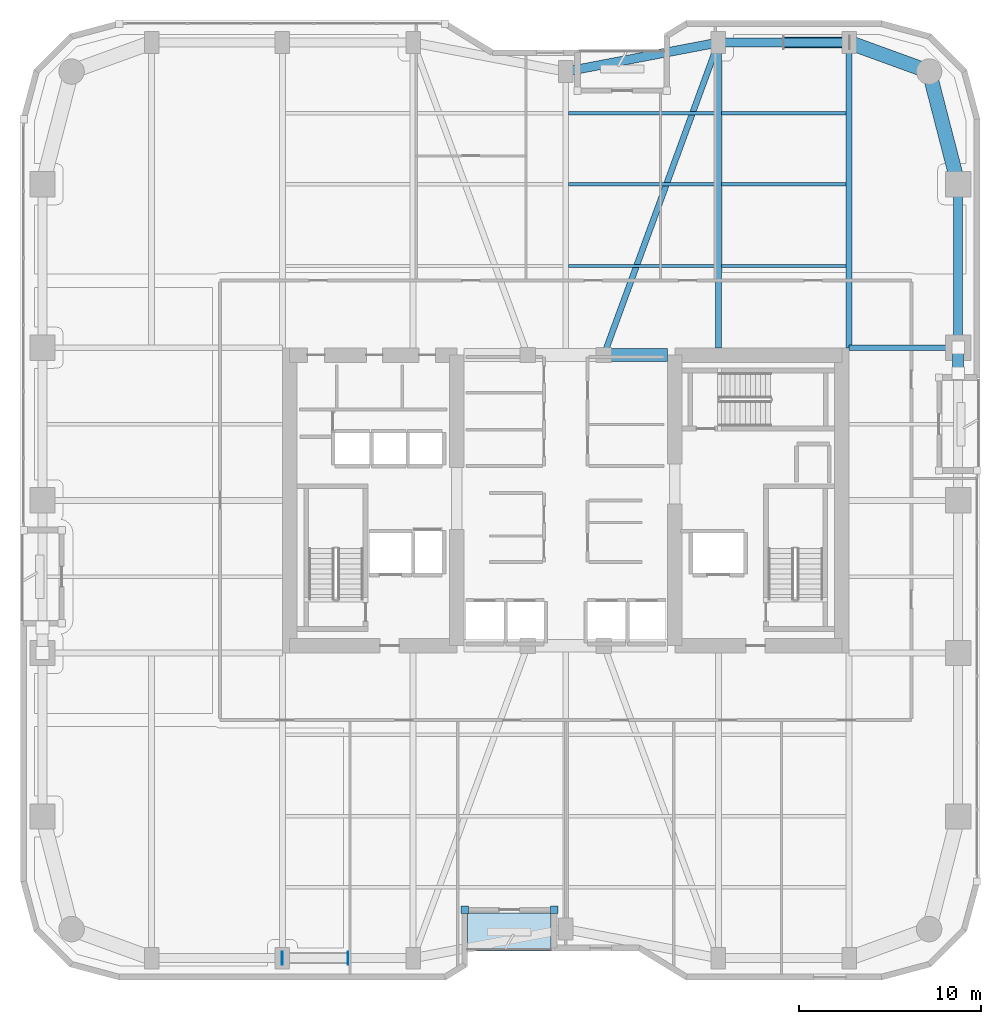
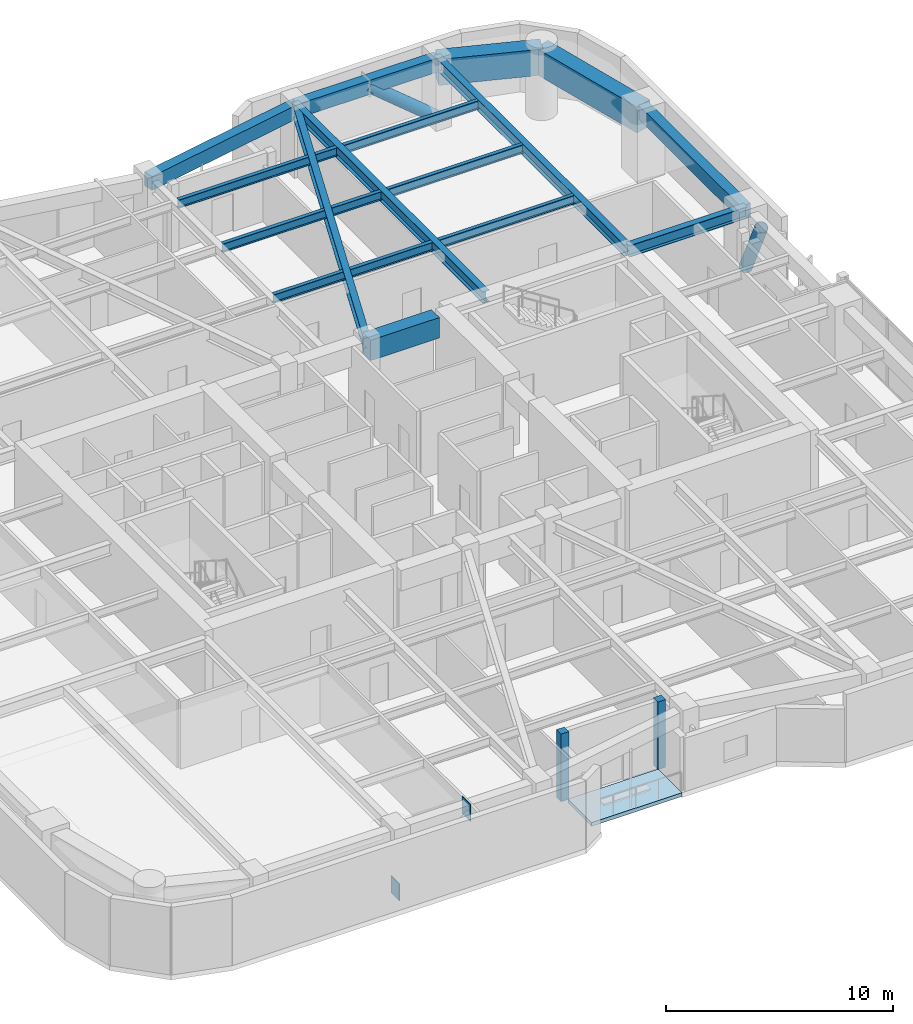
# One storey, part 15 of 24: 16 beams, 4 plates, 2 members, 1 slab.
"""IFC4 building model written with IfcOpenShell, lengths in metres."""

import ifcopenshell
import ifcopenshell.guid

model = None  # the IFC model being written
_history = None  # IfcOwnerHistory: only IFC2X3 demands one
_inside = {}  # id of a spatial element -> (the spatial element, [elements in it])
_under = {}  # id of a project, library or spatial element -> (it, [spatial elements below it])
_declared = {}  # id of a project -> (the project, [libraries it declares])
_typed = {}  # id of a type object -> (the type object, [elements of that type])
_made_of = {}  # id of a material, layer set ... -> (it, [elements and type objects made of it])


def new_model(schema):
    """Start an empty IFC model of exactly this schema.

    Asked for "IFC4X3", IfcOpenShell would pick the latest addendum, in which some entities
    have other attributes; the version numbers below select the first issue.
    IFC2X3 requires an IfcOwnerHistory on every rooted entity: one is made here for all.
    """
    global model, _history
    if schema == "IFC4X3":
        model = ifcopenshell.file(schema_version=(4, 3, 0, 0))
    else:
        model = ifcopenshell.file(schema=schema)
    _inside.clear()
    _under.clear()
    _declared.clear()
    _typed.clear()
    _made_of.clear()
    _history = None
    if model.schema == "IFC2X3":
        org = make("IfcOrganization", Name="unknown")
        user = make(
            "IfcPersonAndOrganization",
            ThePerson=make("IfcPerson", FamilyName="unknown"),
            TheOrganization=org,
        )
        app = make(
            "IfcApplication",
            ApplicationDeveloper=org,
            Version="unknown",
            ApplicationFullName="unknown",
            ApplicationIdentifier="unknown",
        )
        _history = make(
            "IfcOwnerHistory",
            OwningUser=user,
            OwningApplication=app,
            ChangeAction="ADDED",
            CreationDate=0,
        )
    return model


def make(cls, **values):
    """One entity of the class cls with the attributes given. An attribute that is None is left unset."""
    return model.create_entity(
        cls, **{name: value for name, value in values.items() if value is not None}
    )


def rooted(cls, **values):
    """An entity with a GlobalId (a new one), such as an element, a storey or a relation."""
    return make(cls, GlobalId=ifcopenshell.guid.new(), OwnerHistory=_history, **values)


def si_unit(unit_type, name, prefix=None):
    """IfcSIUnit, for example si_unit("LENGTHUNIT", "METRE", prefix="MILLI")."""
    return make("IfcSIUnit", UnitType=unit_type, Prefix=prefix, Name=name)


def assignment(units):
    """IfcUnitAssignment: the units of a project."""
    return None if units is None else make("IfcUnitAssignment", Units=units)


def point(xyz):
    """IfcCartesianPoint."""
    return None if xyz is None else make("IfcCartesianPoint", Coordinates=xyz)


def direction(xyz):
    """IfcDirection."""
    return None if xyz is None else make("IfcDirection", DirectionRatios=xyz)


def frame(location, z_axis=None, x_axis=None):
    """IfcAxis2Placement3D, a coordinate frame: its origin and axes. An axis left out is left unset."""
    return make(
        "IfcAxis2Placement3D",
        Location=point(location),
        Axis=direction(z_axis),
        RefDirection=direction(x_axis),
    )


def frame_2d(location, x_axis=None):
    """IfcAxis2Placement2D, a coordinate frame in the plane: its origin and x axis."""
    return make(
        "IfcAxis2Placement2D", Location=point(location), RefDirection=direction(x_axis)
    )


def origin():
    """The frame at (0, 0, 0) with its axes left unset."""
    return frame((0.0, 0.0, 0.0))


def origin_2d():
    """The frame at (0, 0) in the plane with its x axis left unset."""
    return frame_2d((0.0, 0.0))


def place(relative_to, where):
    """IfcLocalPlacement: puts the frame where relative to a parent placement (None: the world)."""
    return make(
        "IfcLocalPlacement", PlacementRelTo=relative_to, RelativePlacement=where
    )


def context(
    kind, dimensions, precision=None, world=None, true_north=None, identifier=None
):
    """IfcGeometricRepresentationContext, for example the 3D "Model" context."""
    return make(
        "IfcGeometricRepresentationContext",
        ContextIdentifier=identifier,
        ContextType=kind,
        CoordinateSpaceDimension=dimensions,
        Precision=precision,
        WorldCoordinateSystem=world,
        TrueNorth=true_north,
    )


def subcontext(parent, identifier, kind, view, scale=None):
    """IfcGeometricRepresentationSubContext, for example "Body" below "Model"."""
    return make(
        "IfcGeometricRepresentationSubContext",
        ContextIdentifier=identifier,
        ContextType=kind,
        ParentContext=parent,
        TargetScale=scale,
        TargetView=view,
    )


def project(units=None, contexts=None):
    """IfcProject with its units and contexts."""
    return rooted(
        "IfcProject",
        Name="project",
        RepresentationContexts=contexts,
        UnitsInContext=assignment(units),
    )


def spatial(cls, under=None, at=None, **own):
    """A site, building, storey or space (cls), placed at a placement, below another one or the project."""
    s = rooted(cls, ObjectPlacement=at, **own)
    if under is not None:
        _under.setdefault(under.id(), (under, []))[1].append(s)
    return s


def polyline(points):
    """IfcPolyline through the points."""
    return make("IfcPolyline", Points=[point(p) for p in points])


def profile(cls, at=None, kind="AREA", **sizes):
    """A parametric profile (cls). Its sizes go by their IFC names, for example OverallWidth=200.0."""
    return make(cls, ProfileType=kind, Position=at, **sizes)


def rectangle(**sizes):
    """IfcRectangleProfileDef."""
    return profile("IfcRectangleProfileDef", **sizes)


def hollow_circle(**sizes):
    """IfcCircleHollowProfileDef."""
    return profile("IfcCircleHollowProfileDef", **sizes)


def i_section(**sizes):
    """IfcIShapeProfileDef."""
    return profile("IfcIShapeProfileDef", **sizes)


def outline(outer, holes=None, kind="AREA"):
    """IfcArbitraryClosedProfileDef: a profile drawn as a closed curve; with holes, ...WithVoids."""
    if holes is None:
        return make("IfcArbitraryClosedProfileDef", ProfileType=kind, OuterCurve=outer)
    return make(
        "IfcArbitraryProfileDefWithVoids",
        ProfileType=kind,
        OuterCurve=outer,
        InnerCurves=holes,
    )


def extrude(swept, where, along, depth):
    """IfcExtrudedAreaSolid: the profile swept, set in the frame where, extruded along a direction by depth."""
    return make(
        "IfcExtrudedAreaSolid",
        SweptArea=swept,
        Position=where,
        ExtrudedDirection=direction(along),
        Depth=depth,
    )


def shape(context_of_items, identifier, shape_type, items):
    """IfcShapeRepresentation: the items that make up one representation, for example the "Body"."""
    return make(
        "IfcShapeRepresentation",
        ContextOfItems=context_of_items,
        RepresentationIdentifier=identifier,
        RepresentationType=shape_type,
        Items=items,
    )


def material(Name=None, Category=None):
    """IfcMaterial."""
    return make("IfcMaterial", Name=Name, Category=Category)


def layer(
    of_material, thickness, ventilated=None, Name=None, Category=None, Priority=None
):
    """IfcMaterialLayer: one layer of a wall or slab, of a material (None: an air gap)."""
    return make(
        "IfcMaterialLayer",
        Material=of_material,
        LayerThickness=thickness,
        IsVentilated=ventilated,
        Name=Name,
        Category=Category,
        Priority=Priority,
    )


def layer_set(layers, Name=None):
    """IfcMaterialLayerSet."""
    return make("IfcMaterialLayerSet", MaterialLayers=layers, LayerSetName=Name)


def material_profile(
    of_material, cross_section, Name=None, Category=None, Priority=None
):
    """IfcMaterialProfile: a cross section and its material."""
    return make(
        "IfcMaterialProfile",
        Name=Name,
        Material=of_material,
        Profile=cross_section,
        Priority=Priority,
        Category=Category,
    )


def profile_set(profiles, Name=None, composite=None):
    """IfcMaterialProfileSet."""
    return make(
        "IfcMaterialProfileSet",
        Name=Name,
        MaterialProfiles=profiles,
        CompositeProfile=composite,
    )


def made_of(thing, what):
    """Note that an element or type object is made of a material, layer set ...; save() writes the relation."""
    if what is not None:
        _made_of.setdefault(what.id(), (what, []))[1].append(thing)
    return thing


def type_object(cls, material=None, **own):
    """A type object (cls), such as IfcWallType, which elements share."""
    return made_of(rooted(cls, **own), material)


def element(
    cls,
    number,
    at=None,
    inside=None,
    cuts=None,
    type_object=None,
    material=None,
    context=None,
    identifier="Body",
    shape_type=None,
    held_by="IfcProductDefinitionShape",
    body=None,
    shapes=None,
    **own,
):
    """One element of the class cls, such as IfcWall. Its Tag is "e" and its number.

    at: its placement. inside: the storey or other place that contains it. cuts: it is an
    opening in that element (IfcRelVoidsElement). A single representation is given by context,
    identifier, shape_type and body (its items); several are given by shapes. held_by: the class
    of the entity that holds the representations. save() writes the other relations.
    """
    e = rooted(cls, Tag="e%d" % number, ObjectPlacement=at, **own)
    if body is not None:
        shapes = [shape(context, identifier, shape_type, body)]
    if shapes is not None:
        e.Representation = make(held_by, Representations=shapes)
    if inside is not None:
        _inside.setdefault(inside.id(), (inside, []))[1].append(e)
    if cuts is not None:
        rooted(
            "IfcRelVoidsElement", RelatingBuildingElement=cuts, RelatedOpeningElement=e
        )
    if type_object is not None:
        _typed.setdefault(type_object.id(), (type_object, []))[1].append(e)
    return made_of(e, material)


def aggregate(whole, parts):
    """IfcRelAggregates: a whole, such as a stair, and the parts it consists of."""
    return rooted("IfcRelAggregates", RelatingObject=whole, RelatedObjects=parts)


def save(model, path):
    """Write the relations noted so far, then the file.

    IfcRelAggregates (storeys below a building ...), IfcRelContainedInSpatialStructure (elements
    in a storey), IfcRelDefinesByType, IfcRelAssociatesMaterial and IfcRelDeclares: one each for
    every whole, place, type object, material and project.
    """
    for whole, parts in _under.values():
        aggregate(whole, parts)
    for where, things in _inside.values():
        rooted(
            "IfcRelContainedInSpatialStructure",
            RelatedElements=things,
            RelatingStructure=where,
        )
    for kind, things in _typed.values():
        rooted("IfcRelDefinesByType", RelatedObjects=things, RelatingType=kind)
    for what, things in _made_of.values():
        rooted("IfcRelAssociatesMaterial", RelatedObjects=things, RelatingMaterial=what)
    for by, libraries in _declared.values():
        rooted("IfcRelDeclares", RelatingContext=by, RelatedDefinitions=libraries)
    model.write(path)


model = new_model("IFC4")

# Units and contexts
model_context = context("Model", 3, precision=1e-05, world=origin(), true_north=direction((0.0, 1.0)))
body_context = subcontext(model_context, "Body", "Model", "MODEL_VIEW")
ifc_project = project(units=[si_unit("LENGTHUNIT", "METRE"), si_unit("AREAUNIT", "SQUARE_METRE"), si_unit("VOLUMEUNIT", "CUBIC_METRE"), si_unit("PLANEANGLEUNIT", "RADIAN"), si_unit("MASSUNIT", "GRAM", prefix="KILO")], contexts=[model_context])

# Site, building, storey
site_placement = place(None, origin())
site = spatial("IfcSite", under=ifc_project, at=site_placement, CompositionType="ELEMENT")
building_placement = place(site_placement, origin())
building = spatial("IfcBuilding", under=site, at=building_placement, Name="Kiyonajd Concourse Tower", CompositionType="ELEMENT")
storey_placement = place(building_placement, frame((0.0, 0.0, 97.5)))
storey = spatial("IfcBuildingStorey", under=building, at=storey_placement, Name="L25", CompositionType="ELEMENT", Elevation=97.5)

# Beams
ifc_material_1 = material(Name="Concrete C70/85", Category="concrete")
ifc_material_profile_1 = material_profile(ifc_material_1, rectangle(XDim=0.699951171875, YDim=1.10009765625, at=origin_2d()), Name="RCBM-700x1100")
ifc_profile_set_1 = profile_set([ifc_material_profile_1], Name="Concrete C70/85")
beam_type_1 = type_object("IfcBeamType", Name="BM-COUP-1100", PredefinedType="LINTEL", material=ifc_profile_set_1)
beam_1_placement = place(storey_placement, frame((50.10009765625, 44.0, 3.090087890625), z_axis=(1.0, 0.0, 0.0), x_axis=(0.0, 1.0, 0.0)))
element("IfcBeam", 1, at=beam_1_placement, inside=storey, type_object=beam_type_1, Name="L25 Core Coupling Beam N3", PredefinedType="LINTEL", context=body_context, shape_type="SweptSolid", body=[
    extrude(rectangle(XDim=0.699951171875, YDim=1.10009765625, at=origin_2d()), origin(), (0.0, 0.0, 1.0), 3.5),
])
ifc_material_2 = material(Name="Steel ASTM A992 Grade 50", Category="steel")
ifc_material_profile_2 = material_profile(ifc_material_2, i_section(OverallWidth=0.19189453125, OverallDepth=0.462890625, WebThickness=0.010498046875, FlangeThickness=0.017578125, at=origin_2d()), Name="W460X89")
ifc_profile_set_2 = profile_set([ifc_material_profile_2], Name="Steel ASTM A992 Grade 50")
beam_type_2 = type_object("IfcBeamType", Name="BM-JST-460B", PredefinedType="JOIST", material=ifc_profile_set_2)
beam_2_placement = place(storey_placement, frame((48.16357421875, 48.89990234375, 3.408447265625), z_axis=(1.0, 0.0, 0.0), x_axis=(0.0, 1.0, 0.0)))
element("IfcBeam", 2, at=beam_2_placement, inside=storey, type_object=beam_type_2, Name="L25 Secondary Floor Joist", PredefinedType="JOIST", context=body_context, shape_type="SweptSolid", body=[
    extrude(i_section(OverallWidth=0.19189453125, OverallDepth=0.462890625, WebThickness=0.010498046875, FlangeThickness=0.017578125, at=origin_2d()), origin(), (0.0, 0.0, 1.0), 8.072998046875),
])
beam_3_placement = place(storey_placement, frame((56.5634765625, 48.89990234375, 3.408447265625), z_axis=(1.0, 0.0, 0.0), x_axis=(0.0, 1.0, 0.0)))
element("IfcBeam", 3, at=beam_3_placement, inside=storey, type_object=beam_type_2, Name="L25 Secondary Floor Joist", PredefinedType="JOIST", context=body_context, shape_type="SweptSolid", body=[
    extrude(i_section(OverallWidth=0.19189453125, OverallDepth=0.462890625, WebThickness=0.010498046875, FlangeThickness=0.017578125, at=origin_2d()), origin(), (0.0, 0.0, 1.0), 6.873046875),
])
beam_4_placement = place(storey_placement, frame((48.16357421875, 53.39990234375, 3.408447265625), z_axis=(1.0, 0.0, 0.0), x_axis=(0.0, 1.0, 0.0)))
element("IfcBeam", 4, at=beam_4_placement, inside=storey, type_object=beam_type_2, Name="L25 Secondary Floor Joist", PredefinedType="JOIST", context=body_context, shape_type="SweptSolid", body=[
    extrude(i_section(OverallWidth=0.19189453125, OverallDepth=0.462890625, WebThickness=0.010498046875, FlangeThickness=0.017578125, at=origin_2d()), origin(), (0.0, 0.0, 1.0), 8.072998046875),
])
beam_5_placement = place(storey_placement, frame((56.5634765625, 53.39990234375, 3.408447265625), z_axis=(1.0, 0.0, 0.0), x_axis=(0.0, 1.0, 0.0)))
element("IfcBeam", 5, at=beam_5_placement, inside=storey, type_object=beam_type_2, Name="L25 Secondary Floor Joist", PredefinedType="JOIST", context=body_context, shape_type="SweptSolid", body=[
    extrude(i_section(OverallWidth=0.19189453125, OverallDepth=0.462890625, WebThickness=0.010498046875, FlangeThickness=0.017578125, at=origin_2d()), origin(), (0.0, 0.0, 1.0), 6.873046875),
])
beam_6_placement = place(storey_placement, frame((48.16357421875, 57.300048828125, 3.408447265625), z_axis=(1.0, 0.0, 0.0), x_axis=(0.0, 1.0, 0.0)))
element("IfcBeam", 6, at=beam_6_placement, inside=storey, type_object=beam_type_2, Name="L25 Secondary Floor Joist", PredefinedType="JOIST", context=body_context, shape_type="SweptSolid", body=[
    extrude(i_section(OverallWidth=0.19189453125, OverallDepth=0.462890625, WebThickness=0.010498046875, FlangeThickness=0.017578125, at=origin_2d()), origin(), (0.0, 0.0, 1.0), 8.072998046875),
])
beam_7_placement = place(storey_placement, frame((56.5634765625, 57.300048828125, 3.408447265625), z_axis=(1.0, 0.0, 0.0), x_axis=(0.0, 1.0, 0.0)))
element("IfcBeam", 7, at=beam_7_placement, inside=storey, type_object=beam_type_2, Name="L25 Secondary Floor Joist", PredefinedType="JOIST", context=body_context, shape_type="SweptSolid", body=[
    extrude(i_section(OverallWidth=0.19189453125, OverallDepth=0.462890625, WebThickness=0.010498046875, FlangeThickness=0.017578125, at=origin_2d()), origin(), (0.0, 0.0, 1.0), 6.873046875),
])
ifc_material_3 = material(Name="Precast concrete C50/60", Category="concrete")
ifc_material_profile_3 = material_profile(ifc_material_3, rectangle(XDim=0.5, YDim=0.75, at=origin_2d()), Name="RCBM-500x750")
ifc_profile_set_3 = profile_set([ifc_material_profile_3], Name="Precast concrete C50/60")
beam_type_3 = type_object("IfcBeamType", Name="BM-SPAN-RC", PredefinedType="SPANDREL", material=ifc_profile_set_3)
beam_8_placement = place(storey_placement, frame((69.60009765625, 44.39990234375, 3.264892578125), z_axis=(0.0, 1.0, 0.0), x_axis=(-1.0, 0.0, 0.0)))
element("IfcBeam", 8, at=beam_8_placement, inside=storey, type_object=beam_type_3, Name="L25 Perimeter Bundled Tube Spandrel", PredefinedType="SPANDREL", context=body_context, shape_type="SweptSolid", body=[
    extrude(rectangle(XDim=0.5, YDim=0.75, at=origin_2d()), origin(), (0.0, 0.0, 1.0), 9.0),
])
beam_9_placement = place(storey_placement, frame((63.60009765625, 61.199951171875, 3.264892578125), z_axis=(-1.0, 0.0, 0.0), x_axis=(0.0, -1.0, 0.0)))
element("IfcBeam", 9, at=beam_9_placement, inside=storey, type_object=beam_type_3, Name="L25 Perimeter Bundled Tube Spandrel", PredefinedType="SPANDREL", context=body_context, shape_type="SweptSolid", body=[
    extrude(rectangle(XDim=0.5, YDim=0.75, at=origin_2d()), origin(), (0.0, 0.0, 1.0), 7.2001953125),
])
beam_10_placement = place(storey_placement, frame((56.39990234375, 61.199951171875, 3.264892578125), z_axis=(-0.982341315253, -0.187097675953, 0.0), x_axis=(0.187097675953, -0.982341315253, 0.0)))
element("IfcBeam", 10, at=beam_10_placement, inside=storey, type_object=beam_type_3, Name="L25 Perimeter Bundled Tube Spandrel", PredefinedType="SPANDREL", context=body_context, shape_type="SweptSolid", body=[
    extrude(rectangle(XDim=0.5, YDim=0.75, at=origin_2d()), origin(), (0.0, 0.0, 1.0), 8.55078125),
])
ifc_material_profile_4 = material_profile(ifc_material_2, i_section(OverallWidth=0.326904296875, OverallDepth=0.6220703125, WebThickness=0.015380859375, FlangeThickness=0.0244140625, at=origin_2d()), Name="W610X195")
ifc_profile_set_4 = profile_set([ifc_material_profile_4], Name="Steel ASTM A992 Grade 50")
beam_type_4 = type_object("IfcBeamType", Name="BM-TWR-610A", PredefinedType="BEAM", material=ifc_profile_set_4)
beam_11_placement = place(storey_placement, frame((50.10009765625, 44.0, 3.3291015625), z_axis=(0.343925269715, 0.938997022813, 0.0), x_axis=(-0.938997022813, 0.343925269715, 0.0)))
element("IfcBeam", 11, at=beam_11_placement, inside=storey, type_object=beam_type_4, Name="L25 Core Tie Girder", PredefinedType="BEAM", context=body_context, shape_type="SweptSolid", body=[
    extrude(i_section(OverallWidth=0.326904296875, OverallDepth=0.6220703125, WebThickness=0.015380859375, FlangeThickness=0.0244140625, at=origin_2d()), origin(), (0.0, 0.0, 1.0), 18.3173828125),
])
for number, where, z_axis, x_axis, name in (
    (12, (56.39990234375, 44.39990234375, 3.3291015625), (0.0, 1.0, 0.0), (-1.0, 0.0, 0.0), "L25 North Lease Girder"),
    (13, (63.60009765625, 44.39990234375, 3.3291015625), (0.0, 1.0, 0.0), (-1.0, 0.0, 0.0), "L25 North Lease Girder"),
):
    element("IfcBeam", number, at=place(storey_placement, frame(where, z_axis=z_axis, x_axis=x_axis)), inside=storey, type_object=beam_type_4, Name=name, PredefinedType="BEAM", context=body_context, shape_type="SweptSolid", body=[
        extrude(i_section(OverallWidth=0.326904296875, OverallDepth=0.6220703125, WebThickness=0.015380859375, FlangeThickness=0.0244140625, at=origin_2d()), origin(), (0.0, 0.0, 1.0), 16.800048828125),
    ])
beam_12_placement = place(storey_placement, frame((63.60009765625, 44.39990234375, 3.3291015625), z_axis=(1.0, 0.0, 0.0), x_axis=(0.0, 1.0, 0.0)))
element("IfcBeam", 14, at=beam_12_placement, inside=storey, type_object=beam_type_4, Name="L25 East Lease Girder", PredefinedType="BEAM", context=body_context, shape_type="SweptSolid", body=[
    extrude(i_section(OverallWidth=0.326904296875, OverallDepth=0.6220703125, WebThickness=0.015380859375, FlangeThickness=0.0244140625, at=origin_2d()), origin(), (0.0, 0.0, 1.0), 6.0),
])
ifc_material_4 = material(Name="Concrete C60/75", Category="concrete")
ifc_material_profile_5 = material_profile(ifc_material_4, rectangle(XDim=0.800048828125, YDim=1.39990234375, at=origin_2d()), Name="RCBM-800x1400")
ifc_profile_set_5 = profile_set([ifc_material_profile_5], Name="Concrete C60/75")
beam_type_5 = type_object("IfcBeamType", Name="BM-XFER-RC", PredefinedType="BEAM", material=ifc_profile_set_5)
beam_13_placement = place(storey_placement, frame((69.60009765625, 53.39990234375, 2.93994140625), z_axis=(-0.249884937687, 0.968275538221, 0.0), x_axis=(-0.968275538221, -0.249884937687, 0.0)))
element("IfcBeam", 15, at=beam_13_placement, inside=storey, type_object=beam_type_5, Name="L25 Perimeter Bundled Tube Spandrel", PredefinedType="BEAM", context=body_context, shape_type="SweptSolid", body=[
    extrude(rectangle(XDim=0.800048828125, YDim=1.39990234375, at=origin_2d()), origin(), (0.0, 0.0, 1.0), 6.4033203125),
])
beam_14_placement = place(storey_placement, frame((68.0, 59.60009765625, 2.93994140625), z_axis=(-0.939801036019, 0.341722127901, 0.0), x_axis=(-0.341722127901, -0.939801036019, 0.0)))
element("IfcBeam", 16, at=beam_14_placement, inside=storey, type_object=beam_type_5, Name="L25 Perimeter Bundled Tube Spandrel", PredefinedType="BEAM", context=body_context, shape_type="SweptSolid", body=[
    extrude(rectangle(XDim=0.800048828125, YDim=1.39990234375, at=origin_2d()), origin(), (0.0, 0.0, 1.0), 4.681640625),
])

# Members
ifc_material_5 = material(Name="Steel ASTM A572 Grade 50", Category="steel")
ifc_material_profile_6 = material_profile(ifc_material_5, hollow_circle(Radius=0.304931640625, WallThickness=0.02490234375, at=origin_2d()), Name="CHS-610x25")
ifc_profile_set_6 = profile_set([ifc_material_profile_6], Name="Steel ASTM A572 Grade 50")
member_type = type_object("IfcMemberType", Name="MB-PB-LOW", PredefinedType="BRACE", material=ifc_profile_set_6)
member_1_placement = place(storey_placement, frame((63.60009765625, 61.199951171875, 0.300048828125), z_axis=(-0.769280705518, 0.0, 0.638910945373), x_axis=(0.0, -1.0, 0.0)))
element("IfcMember", 17, at=member_1_placement, inside=storey, type_object=member_type, Name="L25 Lower Zone Welded Tube Brace PBN", PredefinedType="BRACE", context=body_context, shape_type="SweptSolid", body=[
    extrude(hollow_circle(Radius=0.304931640625, WallThickness=0.02490234375, at=origin_2d()), origin(), (0.0, 0.0, 1.0), 4.679931640625),
])
member_2_placement = place(storey_placement, frame((69.60009765625, 44.39990234375, 0.300048828125), z_axis=(0.0, -0.424022702926, 0.905651559598), x_axis=(1.0, 0.0, 0.0)))
element("IfcMember", 18, at=member_2_placement, inside=storey, type_object=member_type, Name="L25 Lower Zone Welded Tube Brace PBE", PredefinedType="BRACE", context=body_context, shape_type="SweptSolid", body=[
    extrude(hollow_circle(Radius=0.304931640625, WallThickness=0.02490234375, at=origin_2d()), origin(), (0.0, 0.0, 1.0), 3.301513671875),
])

# Plates
ifc_layer_1 = layer(ifc_material_5, 0.028076171875)
ifc_layer_set_1 = layer_set([ifc_layer_1], Name="Steel ASTM A572 Grade 50")
plate_type_1 = type_object("IfcPlateType", Name="PL-CAP-450", PredefinedType="USERDEFINED", material=ifc_layer_set_1)
for number, where, z_axis, x_axis, name in (
    (19, (32.3916015625, 10.800048828125, -0.173583984375), (0.0, 0.0, 1.0), (-1.0, 0.0, 0.0), "L25 Hollow Brace End Cap Plate PBS"),
    (20, (36.008544921875, 10.800048828125, 2.83056640625), (0.0, 0.0, 1.0), (1.0, 0.0, 0.0), "L25 Hollow Brace Top Cap Plate PBS"),
):
    element("IfcPlate", number, at=place(storey_placement, frame(where, z_axis=z_axis, x_axis=x_axis)), inside=storey, type_object=plate_type_1, Name=name, ObjectType="CAP PLATE", PredefinedType="USERDEFINED", context=body_context, shape_type="SweptSolid", body=[
        extrude(rectangle(XDim=0.035888671875, YDim=0.72998046875, at=origin_2d()), origin(), (0.0, 0.0, 1.0), 0.93310546875),
    ])
ifc_material_6 = material(Name="Thermally Broken Anodised Aluminium", Category="aluminium")
ifc_layer_2 = layer(ifc_material_6, 0.39990234375)
ifc_layer_set_2 = layer_set([ifc_layer_2], Name="Thermally Broken Anodised Aluminium")
plate_type_2 = type_object("IfcPlateType", Name="PL-JMB-400", PredefinedType="USERDEFINED", material=ifc_layer_set_2)
for number, where, z_axis, x_axis, name in (
    (21, (47.360107421875, 13.4599609375, 0.0), (0.0, 0.0, 1.0), (1.0, 0.0, 0.0), "L25 Facade Jamb Closure Plate 13"),
    (22, (42.43994140625, 13.4599609375, 0.0), (0.0, 0.0, 1.0), (1.0, 0.0, 0.0), "L25 Facade Jamb Closure Plate 14"),
):
    element("IfcPlate", number, at=place(storey_placement, frame(where, z_axis=z_axis, x_axis=x_axis)), inside=storey, type_object=plate_type_2, Name=name, ObjectType="JAMB PLATE", PredefinedType="USERDEFINED", context=body_context, shape_type="SweptSolid", body=[
        extrude(rectangle(XDim=0.39990234375, YDim=0.39990234375, at=origin_2d()), origin(), (0.0, 0.0, 1.0), 3.639892578125),
    ])

# Slab
ifc_layer_3 = layer(ifc_material_3, 0.199951171875)
ifc_layer_set_3 = layer_set([ifc_layer_3], Name="Precast concrete C50/60")
slab_type = type_object("IfcSlabType", Name="SL-LOG-200", PredefinedType="FLOOR", material=ifc_layer_set_3)
slab_placement = place(storey_placement, frame((0.0, 0.0, -0.199951171875)))
element("IfcSlab", 23, at=slab_placement, inside=storey, type_object=slab_type, Name="L25 Recessed Engawa Loggia Terrace Slab LOG-S", PredefinedType="FLOOR", context=body_context, shape_type="SweptSolid", body=[
    extrude(outline(polyline([(42.60009765625, 11.199951171875), (47.199951171875, 11.199951171875), (47.199951171875, 13.300048828125), (42.60009765625, 13.300048828125), (42.60009765625, 11.199951171875)])), origin(), (0.0, 0.0, 1.0), 0.199951171875),
])

save(model, "model.ifc")
